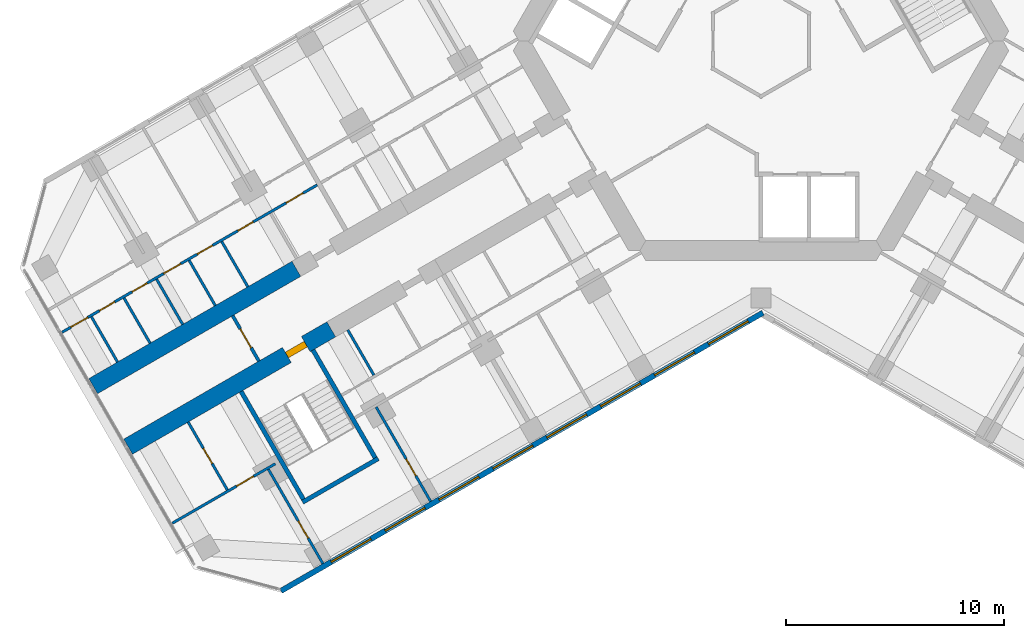
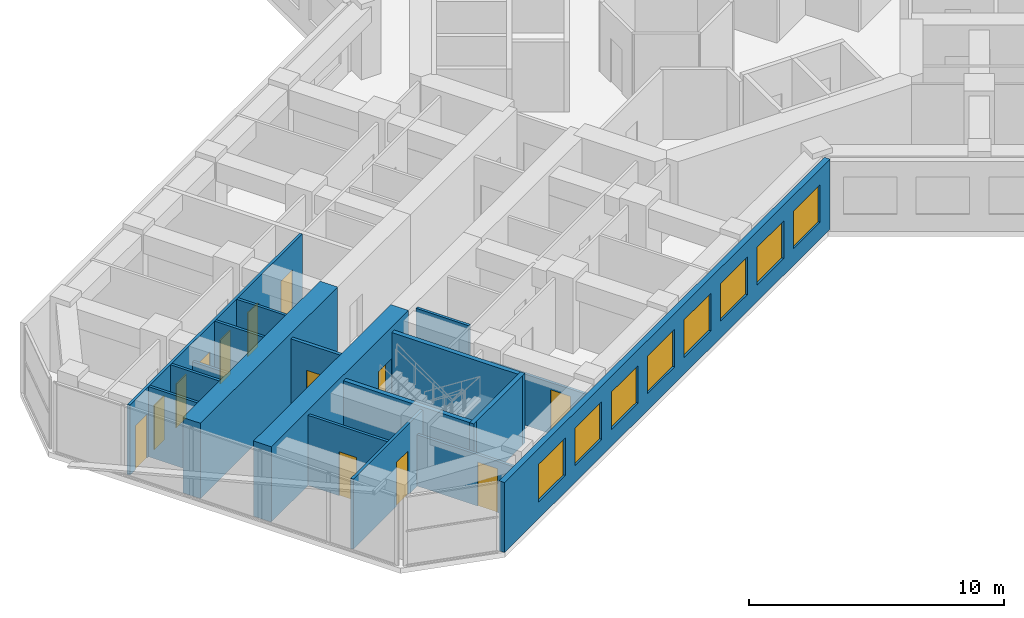
# One storey, part 10 of 20: 18 walls, 13 doors, 8 windows, 21 openings.
"""IFC4 building model written with IfcOpenShell, lengths in metres."""

from ifc_helpers import new_model, si_unit, direction, frame, frame_2d, origin, place, context, subcontext, project, spatial, rectangle, extrude, material, layer, layer_set, type_object, element, fill, save


model = new_model("IFC4")

# Units and contexts
model_context = context("Model", 3, precision=1e-05, world=origin(), true_north=direction((0.0, 1.0)))
body_context = subcontext(model_context, "Body", "Model", "MODEL_VIEW")
ifc_project = project(units=[si_unit("LENGTHUNIT", "METRE"), si_unit("AREAUNIT", "SQUARE_METRE"), si_unit("VOLUMEUNIT", "CUBIC_METRE"), si_unit("PLANEANGLEUNIT", "RADIAN"), si_unit("MASSUNIT", "GRAM", prefix="KILO")], contexts=[model_context])

# Site, building, storey
site_placement = place(None, origin())
site = spatial("IfcSite", under=ifc_project, at=site_placement, CompositionType="ELEMENT")
building_placement = place(site_placement, origin())
building = spatial("IfcBuilding", under=site, at=building_placement, Name="Kosmar Iwan School Tower", CompositionType="ELEMENT")
storey_placement = place(building_placement, frame((0.0, 0.0, 131.0)))
storey = spatial("IfcBuildingStorey", under=building, at=storey_placement, Name="L32", CompositionType="ELEMENT", Elevation=131.0)

# Wall, opening, door
ifc_material_1 = material(Name="Concrete C50/60", Category="concrete")
ifc_layer_1 = layer(ifc_material_1, 0.800048828125)
ifc_layer_set_1 = layer_set([ifc_layer_1], Name="Corridor buttress wall 800")
wall_type_1 = type_object("IfcWallType", Name="Corridor buttress wall 800", PredefinedType="SHEAR", material=ifc_layer_set_1)
wall_1_placement = place(storey_placement, frame((-19.681396484375, -13.210693359375, 0.0), z_axis=(0.0, 0.0, 1.0), x_axis=(-0.866028186671, -0.499995179869, 0.0)))
wall_1 = element("IfcWall", 1, at=wall_1_placement, inside=storey, type_object=wall_type_1, Name="Corridor wall BL bay 3", PredefinedType="SHEAR", context=body_context, shape_type="SweptSolid", body=[
    extrude(rectangle(XDim=10.7451171875, YDim=0.800048828125, at=frame_2d((5.37255859375, 0.0))), origin(), (0.0, 0.0, 1.0), 3.60009765625),
])
opening_1_placement = place(wall_1_placement, frame((1.35009765625, 0.0, 0.0)))
opening_1 = element("IfcOpeningElement", 2, at=opening_1_placement, cuts=wall_1, Name="Opening D6", PredefinedType="OPENING", context=body_context, shape_type="SweptSolid", body=[
    extrude(rectangle(XDim=1.0, YDim=2.10009765625, at=frame_2d((0.5, 1.050048828125))), frame((0.0, 0.412109375, 0.0), z_axis=(0.0, -1.0, 0.0), x_axis=(1.0, 0.0, 0.0)), (0.0, 0.0, 1.0), 0.823974609375),
])
ifc_material_2 = material(Name="Steel fire door", Category="steel")
door_type_1 = type_object("IfcDoorType", Name="Stair door 1000x2100", OperationType="SINGLE_SWING_LEFT", PredefinedType="DOOR", material=ifc_material_2)
door_1_placement = place(opening_1_placement, origin())
door_1 = element("IfcDoor", 3, at=door_1_placement, inside=storey, type_object=door_type_1, Name="Stair WS2 door L32", OperationType="SINGLE_SWING_LEFT", OverallHeight=2.10009765625, OverallWidth=1.0, PredefinedType="DOOR", context=body_context, shape_type="SweptSolid", body=[
    extrude(rectangle(XDim=1.0, YDim=2.10009765625, at=frame_2d((0.5, 1.050048828125))), frame((0.0, 0.14990234375, 0.0), z_axis=(0.0, -1.0, 0.0), x_axis=(1.0, 0.0, 0.0)), (0.0, 0.0, 1.0), 0.300048828125),
])
fill(opening_1, door_1)

# Wall
wall_2_placement = place(storey_placement, frame((-21.281494140625, -10.439453125, 0.0), z_axis=(0.0, 0.0, 1.0), x_axis=(-0.866032345022, -0.499987977232, 0.0)))
element("IfcWall", 4, at=wall_2_placement, inside=storey, type_object=wall_type_1, Name="Corridor wall BR bay 3", PredefinedType="SHEAR", context=body_context, shape_type="SweptSolid", body=[
    extrude(rectangle(XDim=10.744873046875, YDim=0.800048828125, at=frame_2d((5.37255859375, 0.0))), origin(), (0.0, 0.0, 1.0), 3.60009765625),
])

# Wall, opening, door
ifc_material_3 = material(Name="Gypsum board on steel studs, fire-rated", Category="steel")
ifc_layer_2 = layer(ifc_material_3, 0.14990234375)
ifc_layer_set_2 = layer_set([ifc_layer_2], Name="Corridor end wall 150")
wall_type_2 = type_object("IfcWallType", Name="Corridor end wall 150", PredefinedType="PARTITIONING", material=ifc_layer_set_2)
wall_3_placement = place(storey_placement, frame((-24.19921875, -12.585693359375, 0.0), z_axis=(0.0, 0.0, 1.0), x_axis=(0.499957262057, -0.866050077142, 0.0)))
wall_3 = element("IfcWall", 5, at=wall_3_placement, inside=storey, type_object=wall_type_2, Name="Partition L32-B-CE", PredefinedType="PARTITIONING", context=body_context, shape_type="SweptSolid", body=[
    extrude(rectangle(XDim=2.400146484375, YDim=0.14990234375, at=frame_2d((1.2001953125, 0.0))), origin(), (0.0, 0.0, 1.0), 3.35009765625),
])
opening_2_placement = place(wall_3_placement, frame((0.699951171875, 0.0, 0.0)))
opening_2 = element("IfcOpeningElement", 6, at=opening_2_placement, cuts=wall_3, Name="Opening D13", PredefinedType="OPENING", context=body_context, shape_type="SweptSolid", body=[
    extrude(rectangle(XDim=1.0, YDim=2.10009765625, at=frame_2d((0.5, 1.050048828125))), frame((0.0, 0.0869140625, 0.0), z_axis=(0.0, -1.0, 0.0), x_axis=(1.0, 0.0, 0.0)), (0.0, 0.0, 1.0), 0.173828125),
])
ifc_material_4 = material(Name="Timber fire door with vision panel", Category="wood")
door_type_2 = type_object("IfcDoorType", Name="Corridor end door 1000x2100", OperationType="SINGLE_SWING_LEFT", PredefinedType="DOOR", material=ifc_material_4)
door_2_placement = place(opening_2_placement, origin())
door_2 = element("IfcDoor", 7, at=door_2_placement, inside=storey, type_object=door_type_2, Name="Laundry and drying room door L32-B", OperationType="SINGLE_SWING_RIGHT", OverallHeight=2.10009765625, OverallWidth=1.0, PredefinedType="DOOR", context=body_context, shape_type="SweptSolid", body=[
    extrude(rectangle(XDim=1.0, YDim=2.10009765625, at=frame_2d((0.5, 1.050048828125))), frame((0.0, 0.02490234375, 0.0), z_axis=(0.0, -1.0, 0.0), x_axis=(1.0, 0.0, 0.0)), (0.0, 0.0, 1.0), 0.050048828125),
])
fill(opening_2, door_2)

# Wall
ifc_material_5 = material(Name="Gypsum board on steel studs", Category="steel")
ifc_layer_3 = layer(ifc_material_5, 0.1201171875)
ifc_layer_set_3 = layer_set([ifc_layer_3], Name="Dwelling partition 120")
wall_type_3 = type_object("IfcWallType", Name="Dwelling partition 120", PredefinedType="PARTITIONING", material=ifc_layer_set_3)
wall_4_placement = place(storey_placement, frame((-18.92724609375, -13.237060546875, 0.0), z_axis=(0.0, 0.0, 1.0), x_axis=(0.500017192868, -0.86601547725, 0.0)))
element("IfcWall", 8, at=wall_4_placement, inside=storey, type_object=wall_type_3, Name="Partition L32-BL2-Y2", PredefinedType="PARTITIONING", context=body_context, shape_type="SweptSolid", body=[
    extrude(rectangle(XDim=2.39013671875, YDim=0.1201171875, at=frame_2d((1.195068359375, 0.0))), origin(), (0.0, 0.0, 1.0), 3.35009765625),
])

# Wall, opening, door
wall_5_placement = place(storey_placement, frame((-17.62646484375, -16.77001953125, 0.0), z_axis=(0.0, 0.0, 1.0), x_axis=(0.499975153383, -0.86603974851, 0.0)))
wall_5 = element("IfcWall", 9, at=wall_5_placement, inside=storey, type_object=wall_type_3, Name="Partition L32-BL2-TB", PredefinedType="PARTITIONING", context=body_context, shape_type="SweptSolid", body=[
    extrude(rectangle(XDim=4.989990234375, YDim=0.1201171875, at=frame_2d((2.4951171875, 0.0))), origin(), (0.0, 0.0, 1.0), 2.449951171875),
])
opening_3_placement = place(wall_5_placement, frame((2.739990234375, 0.0, 0.0)))
opening_3 = element("IfcOpeningElement", 10, at=opening_3_placement, cuts=wall_5, Name="Opening D2", PredefinedType="OPENING", context=body_context, shape_type="SweptSolid", body=[
    extrude(rectangle(XDim=0.89990234375, YDim=2.10009765625, at=frame_2d((0.449951171875, 1.050048828125))), frame((0.0, 0.072021484375, 0.0), z_axis=(0.0, -1.0, 0.0), x_axis=(1.0, 0.0, 0.0)), (0.0, 0.0, 1.0), 0.14404296875),
])
ifc_material_6 = material(Name="Timber door in timber frame", Category="wood")
door_type_3 = type_object("IfcDoorType", Name="Internal door 900x2100", OperationType="SINGLE_SWING_LEFT", PredefinedType="DOOR", material=ifc_material_6)
door_3_placement = place(opening_3_placement, origin())
door_3 = element("IfcDoor", 11, at=door_3_placement, inside=storey, type_object=door_type_3, Name="Study door L32-BL2-F1", OperationType="SINGLE_SWING_RIGHT", OverallHeight=2.10009765625, OverallWidth=0.89990234375, PredefinedType="DOOR", context=body_context, shape_type="SweptSolid", body=[
    extrude(rectangle(XDim=0.89990234375, YDim=2.10009765625, at=frame_2d((0.449951171875, 1.050048828125))), frame((0.0, 0.02490234375, 0.0), z_axis=(0.0, -1.0, 0.0), x_axis=(1.0, 0.0, 0.0)), (0.0, 0.0, 1.0), 0.050048828125),
])
fill(opening_3, door_3)

wall_6_placement = place(storey_placement, frame((-22.562744140625, -19.6201171875, 0.0), z_axis=(0.0, 0.0, 1.0), x_axis=(0.499996339024, -0.86602751744, 0.0)))
wall_6 = element("IfcWall", 12, at=wall_6_placement, inside=storey, type_object=wall_type_3, Name="Partition L32-BL2-TX", PredefinedType="PARTITIONING", context=body_context, shape_type="SweptSolid", body=[
    extrude(rectangle(XDim=4.98974609375, YDim=0.1201171875, at=frame_2d((2.494873046875, 0.0))), origin(), (0.0, 0.0, 1.0), 2.449951171875),
])
opening_4_placement = place(wall_6_placement, frame((2.739990234375, 0.0, 0.0)))
opening_4 = element("IfcOpeningElement", 13, at=opening_4_placement, cuts=wall_6, Name="Opening D2", PredefinedType="OPENING", context=body_context, shape_type="SweptSolid", body=[
    extrude(rectangle(XDim=0.89990234375, YDim=2.10009765625, at=frame_2d((0.449951171875, 1.050048828125))), frame((0.0, 0.072021484375, 0.0), z_axis=(0.0, -1.0, 0.0), x_axis=(1.0, 0.0, 0.0)), (0.0, 0.0, 1.0), 0.14404296875),
])
door_4_placement = place(opening_4_placement, origin())
door_4 = element("IfcDoor", 14, at=door_4_placement, inside=storey, type_object=door_type_3, Name="Study door L32-BL2-T1", OperationType="SINGLE_SWING_RIGHT", OverallHeight=2.10009765625, OverallWidth=0.89990234375, PredefinedType="DOOR", context=body_context, shape_type="SweptSolid", body=[
    extrude(rectangle(XDim=0.89990234375, YDim=2.10009765625, at=frame_2d((0.449951171875, 1.050048828125))), frame((0.0, 0.02490234375, 0.0), z_axis=(0.0, -1.0, 0.0), x_axis=(1.0, 0.0, 0.0)), (0.0, 0.0, 1.0), 0.050048828125),
])
fill(opening_4, door_4)

wall_7_placement = place(storey_placement, frame((-22.246337890625, -19.3681640625, 0.0), z_axis=(0.0, 0.0, 1.0), x_axis=(-0.866035508231, -0.499982498177, 0.0)))
wall_7 = element("IfcWall", 15, at=wall_7_placement, inside=storey, type_object=wall_type_3, Name="Partition L32-BL2-TW", PredefinedType="PARTITIONING", context=body_context, shape_type="SweptSolid", body=[
    extrude(rectangle(XDim=5.445068359375, YDim=0.1201171875, at=frame_2d((2.72265625, 0.0))), origin(), (0.0, 0.0, 1.0), 3.35009765625),
])
opening_5_placement = place(wall_7_placement, frame((1.14990234375, 0.0, 0.0)))
opening_5 = element("IfcOpeningElement", 16, at=opening_5_placement, cuts=wall_7, Name="Opening D2", PredefinedType="OPENING", context=body_context, shape_type="SweptSolid", body=[
    extrude(rectangle(XDim=0.89990234375, YDim=2.10009765625, at=frame_2d((0.449951171875, 1.050048828125))), frame((0.0, 0.072021484375, 0.0), z_axis=(0.0, -1.0, 0.0), x_axis=(1.0, 0.0, 0.0)), (0.0, 0.0, 1.0), 0.14404296875),
])
door_5_placement = place(opening_5_placement, origin())
door_5 = element("IfcDoor", 17, at=door_5_placement, inside=storey, type_object=door_type_3, Name="Dressing room door L32-BL2-T3", OperationType="SINGLE_SWING_LEFT", OverallHeight=2.10009765625, OverallWidth=0.89990234375, PredefinedType="DOOR", context=body_context, shape_type="SweptSolid", body=[
    extrude(rectangle(XDim=0.89990234375, YDim=2.10009765625, at=frame_2d((0.449951171875, 1.050048828125))), frame((0.0, 0.02490234375, 0.0), z_axis=(0.0, -1.0, 0.0), x_axis=(1.0, 0.0, 0.0)), (0.0, 0.0, 1.0), 0.050048828125),
])
fill(opening_5, door_5)

wall_8_placement = place(storey_placement, frame((-26.236572265625, -17.45703125, 0.0), z_axis=(0.0, 0.0, 1.0), x_axis=(0.50002266109, -0.866012320003, 0.0)))
wall_8 = element("IfcWall", 18, at=wall_8_placement, inside=storey, type_object=wall_type_3, Name="Partition L32-BL2-TY", PredefinedType="PARTITIONING", context=body_context, shape_type="SweptSolid", body=[
    extrude(rectangle(XDim=3.590087890625, YDim=0.1201171875, at=frame_2d((1.794921875, 0.0))), origin(), (0.0, 0.0, 1.0), 3.35009765625),
])
opening_6_placement = place(wall_8_placement, frame((1.39501953125, 0.0, 0.0)))
opening_6 = element("IfcOpeningElement", 19, at=opening_6_placement, cuts=wall_8, Name="Opening D3", PredefinedType="OPENING", context=body_context, shape_type="SweptSolid", body=[
    extrude(rectangle(XDim=0.800048828125, YDim=2.10009765625, at=frame_2d((0.39990234375, 1.050048828125))), frame((0.0, 0.072021484375, 0.0), z_axis=(0.0, -1.0, 0.0), x_axis=(1.0, 0.0, 0.0)), (0.0, 0.0, 1.0), 0.14404296875),
])
ifc_material_7 = material(Name="Timber door in timber frame", Category="wood")
door_type_4 = type_object("IfcDoorType", Name="Sanitary room door 800x2100", OperationType="SINGLE_SWING_LEFT", PredefinedType="DOOR", material=ifc_material_7)
door_6_placement = place(opening_6_placement, origin())
door_6 = element("IfcDoor", 20, at=door_6_placement, inside=storey, type_object=door_type_4, Name="Shower room door L32-BL2-T4", OperationType="SINGLE_SWING_LEFT", OverallHeight=2.10009765625, OverallWidth=0.800048828125, PredefinedType="DOOR", context=body_context, shape_type="SweptSolid", body=[
    extrude(rectangle(XDim=0.800048828125, YDim=2.10009765625, at=frame_2d((0.39990234375, 1.050048828125))), frame((0.0, 0.02490234375, 0.0), z_axis=(0.0, -1.0, 0.0), x_axis=(1.0, 0.0, 0.0)), (0.0, 0.0, 1.0), 0.050048828125),
])
fill(opening_6, door_6)

# Wall, openings, doors
wall_9_placement = place(storey_placement, frame((-20.324951171875, -6.59619140625, 0.0), z_axis=(0.0, 0.0, 1.0), x_axis=(-0.866023503214, -0.50000329187, 0.0)))
wall_9 = element("IfcWall", 21, at=wall_9_placement, inside=storey, type_object=wall_type_3, Name="Partition L32-BR2-W1", PredefinedType="PARTITIONING", context=body_context, shape_type="SweptSolid", body=[
    extrude(rectangle(XDim=13.4951171875, YDim=0.1201171875, at=frame_2d((6.74755859375, 0.0))), origin(), (0.0, 0.0, 1.0), 3.35009765625),
])
opening_7_placement = place(wall_9_placement, frame((0.75, 0.0, 0.0)))
opening_7 = element("IfcOpeningElement", 22, at=opening_7_placement, cuts=wall_9, Name="Opening D2", PredefinedType="OPENING", context=body_context, shape_type="SweptSolid", body=[
    extrude(rectangle(XDim=0.89990234375, YDim=2.10009765625, at=frame_2d((0.449951171875, 1.050048828125))), frame((0.0, 0.072021484375, 0.0), z_axis=(0.0, -1.0, 0.0), x_axis=(1.0, 0.0, 0.0)), (0.0, 0.0, 1.0), 0.14404296875),
])
opening_8_placement = place(wall_9_placement, frame((3.392333984375, 0.0, 0.0)))
opening_8 = element("IfcOpeningElement", 23, at=opening_8_placement, cuts=wall_9, Name="Opening D3", PredefinedType="OPENING", context=body_context, shape_type="SweptSolid", body=[
    extrude(rectangle(XDim=0.800048828125, YDim=2.10009765625, at=frame_2d((0.39990234375, 1.050048828125))), frame((0.0, 0.072021484375, 0.0), z_axis=(0.0, -1.0, 0.0), x_axis=(1.0, 0.0, 0.0)), (0.0, 0.0, 1.0), 0.14404296875),
])
opening_9_placement = place(wall_9_placement, frame((5.546142578125, 0.0, 0.0)))
opening_9 = element("IfcOpeningElement", 24, at=opening_9_placement, cuts=wall_9, Name="Opening D3", PredefinedType="OPENING", context=body_context, shape_type="SweptSolid", body=[
    extrude(rectangle(XDim=0.800048828125, YDim=2.10009765625, at=frame_2d((0.39990234375, 1.050048828125))), frame((0.0, 0.072021484375, 0.0), z_axis=(0.0, -1.0, 0.0), x_axis=(1.0, 0.0, 0.0)), (0.0, 0.0, 1.0), 0.14404296875),
])
opening_10_placement = place(wall_9_placement, frame((7.21923828125, 0.0, 0.0)))
opening_10 = element("IfcOpeningElement", 25, at=opening_10_placement, cuts=wall_9, Name="Opening D2", PredefinedType="OPENING", context=body_context, shape_type="SweptSolid", body=[
    extrude(rectangle(XDim=0.89990234375, YDim=2.10009765625, at=frame_2d((0.449951171875, 1.050048828125))), frame((0.0, 0.072021484375, 0.0), z_axis=(0.0, -1.0, 0.0), x_axis=(1.0, 0.0, 0.0)), (0.0, 0.0, 1.0), 0.14404296875),
])
opening_11_placement = place(wall_9_placement, frame((8.992431640625, 0.0, 0.0)))
opening_11 = element("IfcOpeningElement", 26, at=opening_11_placement, cuts=wall_9, Name="Opening D3", PredefinedType="OPENING", context=body_context, shape_type="SweptSolid", body=[
    extrude(rectangle(XDim=0.800048828125, YDim=2.10009765625, at=frame_2d((0.39990234375, 1.050048828125))), frame((0.0, 0.072021484375, 0.0), z_axis=(0.0, -1.0, 0.0), x_axis=(1.0, 0.0, 0.0)), (0.0, 0.0, 1.0), 0.14404296875),
])
opening_12_placement = place(wall_9_placement, frame((10.71533203125, 0.0, 0.0)))
opening_12 = element("IfcOpeningElement", 27, at=opening_12_placement, cuts=wall_9, Name="Opening D3", PredefinedType="OPENING", context=body_context, shape_type="SweptSolid", body=[
    extrude(rectangle(XDim=0.800048828125, YDim=2.10009765625, at=frame_2d((0.39990234375, 1.050048828125))), frame((0.0, 0.072021484375, 0.0), z_axis=(0.0, -1.0, 0.0), x_axis=(1.0, 0.0, 0.0)), (0.0, 0.0, 1.0), 0.14404296875),
])
opening_13_placement = place(wall_9_placement, frame((12.136962890625, 0.0, 0.0)))
opening_13 = element("IfcOpeningElement", 28, at=opening_13_placement, cuts=wall_9, Name="Opening D2", PredefinedType="OPENING", context=body_context, shape_type="SweptSolid", body=[
    extrude(rectangle(XDim=0.89990234375, YDim=2.10009765625, at=frame_2d((0.449951171875, 1.050048828125))), frame((0.0, 0.072021484375, 0.0), z_axis=(0.0, -1.0, 0.0), x_axis=(1.0, 0.0, 0.0)), (0.0, 0.0, 1.0), 0.14404296875),
])
door_7_placement = place(opening_7_placement, origin())
door_7 = element("IfcDoor", 29, at=door_7_placement, inside=storey, type_object=door_type_3, Name="Entrance hall door L32-BR2-S1", OperationType="SINGLE_SWING_RIGHT", OverallHeight=2.10009765625, OverallWidth=0.89990234375, PredefinedType="DOOR", context=body_context, shape_type="SweptSolid", body=[
    extrude(rectangle(XDim=0.89990234375, YDim=2.10009765625, at=frame_2d((0.449951171875, 1.050048828125))), frame((0.0, 0.02490234375, 0.0), z_axis=(0.0, -1.0, 0.0), x_axis=(1.0, 0.0, 0.0)), (0.0, 0.0, 1.0), 0.050048828125),
])
fill(opening_7, door_7)
door_8_placement = place(opening_10_placement, origin())
door_8 = element("IfcDoor", 30, at=door_8_placement, inside=storey, type_object=door_type_3, Name="Pantry door L32-BR2-S4", OperationType="SINGLE_SWING_LEFT", OverallHeight=2.10009765625, OverallWidth=0.89990234375, PredefinedType="DOOR", context=body_context, shape_type="SweptSolid", body=[
    extrude(rectangle(XDim=0.89990234375, YDim=2.10009765625, at=frame_2d((0.449951171875, 1.050048828125))), frame((0.0, 0.02490234375, 0.0), z_axis=(0.0, -1.0, 0.0), x_axis=(1.0, 0.0, 0.0)), (0.0, 0.0, 1.0), 0.050048828125),
])
fill(opening_10, door_8)
door_9_placement = place(opening_13_placement, origin())
door_9 = element("IfcDoor", 31, at=door_9_placement, inside=storey, type_object=door_type_3, Name="Utility room door L32-BR2-S7", OperationType="SINGLE_SWING_LEFT", OverallHeight=2.10009765625, OverallWidth=0.89990234375, PredefinedType="DOOR", context=body_context, shape_type="SweptSolid", body=[
    extrude(rectangle(XDim=0.89990234375, YDim=2.10009765625, at=frame_2d((0.449951171875, 1.050048828125))), frame((0.0, 0.02490234375, 0.0), z_axis=(0.0, -1.0, 0.0), x_axis=(1.0, 0.0, 0.0)), (0.0, 0.0, 1.0), 0.050048828125),
])
fill(opening_13, door_9)
door_10_placement = place(opening_8_placement, origin())
door_10 = element("IfcDoor", 32, at=door_10_placement, inside=storey, type_object=door_type_4, Name="Bathroom door L32-BR2-S2", OperationType="SINGLE_SWING_LEFT", OverallHeight=2.10009765625, OverallWidth=0.800048828125, PredefinedType="DOOR", context=body_context, shape_type="SweptSolid", body=[
    extrude(rectangle(XDim=0.800048828125, YDim=2.10009765625, at=frame_2d((0.39990234375, 1.050048828125))), frame((0.0, 0.02490234375, 0.0), z_axis=(0.0, -1.0, 0.0), x_axis=(1.0, 0.0, 0.0)), (0.0, 0.0, 1.0), 0.050048828125),
])
fill(opening_8, door_10)
door_11_placement = place(opening_9_placement, origin())
door_11 = element("IfcDoor", 33, at=door_11_placement, inside=storey, type_object=door_type_4, Name="Shower room door L32-BR2-S3", OperationType="SINGLE_SWING_RIGHT", OverallHeight=2.10009765625, OverallWidth=0.800048828125, PredefinedType="DOOR", context=body_context, shape_type="SweptSolid", body=[
    extrude(rectangle(XDim=0.800048828125, YDim=2.10009765625, at=frame_2d((0.39990234375, 1.050048828125))), frame((0.0, 0.02490234375, 0.0), z_axis=(0.0, -1.0, 0.0), x_axis=(1.0, 0.0, 0.0)), (0.0, 0.0, 1.0), 0.050048828125),
])
fill(opening_9, door_11)
door_12_placement = place(opening_11_placement, origin())
door_12 = element("IfcDoor", 34, at=door_12_placement, inside=storey, type_object=door_type_4, Name="WC door L32-BR2-S5", OperationType="SINGLE_SWING_RIGHT", OverallHeight=2.10009765625, OverallWidth=0.800048828125, PredefinedType="DOOR", context=body_context, shape_type="SweptSolid", body=[
    extrude(rectangle(XDim=0.800048828125, YDim=2.10009765625, at=frame_2d((0.39990234375, 1.050048828125))), frame((0.0, 0.02490234375, 0.0), z_axis=(0.0, -1.0, 0.0), x_axis=(1.0, 0.0, 0.0)), (0.0, 0.0, 1.0), 0.050048828125),
])
fill(opening_11, door_12)
door_13_placement = place(opening_12_placement, origin())
door_13 = element("IfcDoor", 35, at=door_13_placement, inside=storey, type_object=door_type_4, Name="Store door L32-BR2-S6", OperationType="SINGLE_SWING_LEFT", OverallHeight=2.10009765625, OverallWidth=0.800048828125, PredefinedType="DOOR", context=body_context, shape_type="SweptSolid", body=[
    extrude(rectangle(XDim=0.800048828125, YDim=2.10009765625, at=frame_2d((0.39990234375, 1.050048828125))), frame((0.0, 0.02490234375, 0.0), z_axis=(0.0, -1.0, 0.0), x_axis=(1.0, 0.0, 0.0)), (0.0, 0.0, 1.0), 0.050048828125),
])
fill(opening_12, door_13)

# Walls
wall_10_placement = place(storey_placement, frame((-23.50341796875, -11.26025390625, 0.0), z_axis=(0.0, 0.0, 1.0), x_axis=(-0.499940577336, 0.866059708757, 0.0)))
element("IfcWall", 36, at=wall_10_placement, inside=storey, type_object=wall_type_3, Name="Partition L32-BR2-Y2", PredefinedType="PARTITIONING", context=body_context, shape_type="SweptSolid", body=[
    extrude(rectangle(XDim=2.389892578125, YDim=0.1201171875, at=frame_2d((1.19482421875, 0.0))), origin(), (0.0, 0.0, 1.0), 3.35009765625),
])
wall_11_placement = place(storey_placement, frame((-24.99560546875, -12.121826171875, 0.0), z_axis=(0.0, 0.0, 1.0), x_axis=(-0.500017192868, 0.86601547725, 0.0)))
element("IfcWall", 37, at=wall_11_placement, inside=storey, type_object=wall_type_3, Name="Partition L32-BR2-Y3", PredefinedType="PARTITIONING", context=body_context, shape_type="SweptSolid", body=[
    extrude(rectangle(XDim=2.39013671875, YDim=0.1201171875, at=frame_2d((1.195068359375, 0.0))), origin(), (0.0, 0.0, 1.0), 3.35009765625),
])
wall_12_placement = place(storey_placement, frame((-26.48779296875, -12.9833984375, 0.0), z_axis=(0.0, 0.0, 1.0), x_axis=(-0.500017192868, 0.86601547725, 0.0)))
element("IfcWall", 38, at=wall_12_placement, inside=storey, type_object=wall_type_3, Name="Partition L32-BR2-Y4", PredefinedType="PARTITIONING", context=body_context, shape_type="SweptSolid", body=[
    extrude(rectangle(XDim=2.39013671875, YDim=0.1201171875, at=frame_2d((1.195068359375, 0.0))), origin(), (0.0, 0.0, 1.0), 2.449951171875),
])
wall_13_placement = place(storey_placement, frame((-27.97998046875, -13.844970703125, 0.0), z_axis=(0.0, 0.0, 1.0), x_axis=(-0.500017192868, 0.86601547725, 0.0)))
element("IfcWall", 39, at=wall_13_placement, inside=storey, type_object=wall_type_3, Name="Partition L32-BR2-Y5", PredefinedType="PARTITIONING", context=body_context, shape_type="SweptSolid", body=[
    extrude(rectangle(XDim=2.39013671875, YDim=0.1201171875, at=frame_2d((1.195068359375, 0.0))), origin(), (0.0, 0.0, 1.0), 3.35009765625),
])
wall_14_placement = place(storey_placement, frame((-29.47216796875, -14.706298828125, 0.0), z_axis=(0.0, 0.0, 1.0), x_axis=(-0.500061428766, 0.865989934965, 0.0)))
element("IfcWall", 40, at=wall_14_placement, inside=storey, type_object=wall_type_3, Name="Partition L32-BR2-Y6", PredefinedType="PARTITIONING", context=body_context, shape_type="SweptSolid", body=[
    extrude(rectangle(XDim=2.389892578125, YDim=0.1201171875, at=frame_2d((1.19482421875, 0.0))), origin(), (0.0, 0.0, 1.0), 3.35009765625),
])
ifc_material_8 = material(Name="Concrete C35/45", Category="concrete")
ifc_layer_4 = layer(ifc_material_8, 0.199951171875)
ifc_layer_set_4 = layer_set([ifc_layer_4], Name="Escape stair wall 200")
wall_type_4 = type_object("IfcWallType", Name="Escape stair wall 200", PredefinedType="SHEAR", material=ifc_layer_set_4)
wall_15_placement = place(storey_placement, frame((-20.520751953125, -14.156982421875, 0.0), z_axis=(0.0, 0.0, 1.0), x_axis=(0.499988710057, -0.866031921938, 0.0)))
element("IfcWall", 41, at=wall_15_placement, inside=storey, type_object=wall_type_4, Name="Stair WS2 wall", PredefinedType="SHEAR", context=body_context, shape_type="SweptSolid", body=[
    extrude(rectangle(XDim=5.900146484375, YDim=0.199951171875, at=frame_2d((2.9501953125, 0.0))), origin(), (0.0, 0.0, 1.0), 3.330078125),
])
wall_16_placement = place(storey_placement, frame((-23.8115234375, -16.05712890625, 0.0), z_axis=(0.0, 0.0, 1.0), x_axis=(0.500006628179, -0.86602157697, 0.0)))
element("IfcWall", 42, at=wall_16_placement, inside=storey, type_object=wall_type_4, Name="Stair WS2 wall", PredefinedType="SHEAR", context=body_context, shape_type="SweptSolid", body=[
    extrude(rectangle(XDim=5.89990234375, YDim=0.199951171875, at=frame_2d((2.949951171875, 0.0))), origin(), (0.0, 0.0, 1.0), 3.330078125),
])
wall_17_placement = place(storey_placement, frame((-17.5341796875, -19.1298828125, 0.0), z_axis=(0.0, 0.0, 1.0), x_axis=(-0.866026010844, -0.49999894854, 0.0)))
element("IfcWall", 43, at=wall_17_placement, inside=storey, type_object=wall_type_4, Name="Stair WS2 wall", PredefinedType="SHEAR", context=body_context, shape_type="SweptSolid", body=[
    extrude(rectangle(XDim=4.0, YDim=0.199951171875, at=frame_2d((2.0, 0.0))), origin(), (0.0, 0.0, 1.0), 3.330078125),
])

# Wall, openings, windows
ifc_material_9 = material(Name="Black aluminium rainscreen on insulated framing", Category="aluminium")
ifc_layer_5 = layer(ifc_material_9, 0.25)
ifc_layer_set_5 = layer_set([ifc_layer_5], Name="External wall rainscreen 250")
wall_type_5 = type_object("IfcWallType", Name="External wall rainscreen 250", PredefinedType="SOLIDWALL", material=ifc_layer_set_5)
wall_18_placement = place(storey_placement, frame((0.088134765625, -12.44873046875, 0.0), z_axis=(0.0, 0.0, 1.0), x_axis=(-0.866026390279, -0.499998291337, 0.0)))
wall_18 = element("IfcWall", 44, at=wall_18_placement, inside=storey, type_object=wall_type_5, Name="External wall BL L32", PredefinedType="SOLIDWALL", context=body_context, shape_type="SweptSolid", body=[
    extrude(rectangle(XDim=25.4873046875, YDim=0.25, at=frame_2d((12.74365234375, 0.0))), origin(), (0.0, 0.0, 1.0), 3.35009765625),
])
opening_14_placement = place(wall_18_placement, frame((0.777099609375, 0.0, 0.800048828125)))
opening_14 = element("IfcOpeningElement", 45, at=opening_14_placement, cuts=wall_18, Name="Opening W4", PredefinedType="OPENING", context=body_context, shape_type="SweptSolid", body=[
    extrude(rectangle(XDim=2.10009765625, YDim=1.800048828125, at=frame_2d((1.050048828125, 0.89990234375))), frame((0.0, 0.136962890625, 0.0), z_axis=(0.0, -1.0, 0.0), x_axis=(1.0, 0.0, 0.0)), (0.0, 0.0, 1.0), 0.27392578125),
])
opening_15_placement = place(wall_18_placement, frame((3.626953125, 0.0, 0.800048828125)))
opening_15 = element("IfcOpeningElement", 46, at=opening_15_placement, cuts=wall_18, Name="Opening W4", PredefinedType="OPENING", context=body_context, shape_type="SweptSolid", body=[
    extrude(rectangle(XDim=2.10009765625, YDim=1.800048828125, at=frame_2d((1.050048828125, 0.89990234375))), frame((0.0, 0.136962890625, 0.0), z_axis=(0.0, -1.0, 0.0), x_axis=(1.0, 0.0, 0.0)), (0.0, 0.0, 1.0), 0.27392578125),
])
opening_16_placement = place(wall_18_placement, frame((6.47705078125, 0.0, 0.800048828125)))
opening_16 = element("IfcOpeningElement", 47, at=opening_16_placement, cuts=wall_18, Name="Opening W4", PredefinedType="OPENING", context=body_context, shape_type="SweptSolid", body=[
    extrude(rectangle(XDim=2.10009765625, YDim=1.800048828125, at=frame_2d((1.050048828125, 0.89990234375))), frame((0.0, 0.136962890625, 0.0), z_axis=(0.0, -1.0, 0.0), x_axis=(1.0, 0.0, 0.0)), (0.0, 0.0, 1.0), 0.27392578125),
])
opening_17_placement = place(wall_18_placement, frame((9.326904296875, 0.0, 0.800048828125)))
opening_17 = element("IfcOpeningElement", 48, at=opening_17_placement, cuts=wall_18, Name="Opening W4", PredefinedType="OPENING", context=body_context, shape_type="SweptSolid", body=[
    extrude(rectangle(XDim=2.10009765625, YDim=1.800048828125, at=frame_2d((1.050048828125, 0.89990234375))), frame((0.0, 0.136962890625, 0.0), z_axis=(0.0, -1.0, 0.0), x_axis=(1.0, 0.0, 0.0)), (0.0, 0.0, 1.0), 0.27392578125),
])
opening_18_placement = place(wall_18_placement, frame((12.177001953125, 0.0, 0.800048828125)))
opening_18 = element("IfcOpeningElement", 49, at=opening_18_placement, cuts=wall_18, Name="Opening W4", PredefinedType="OPENING", context=body_context, shape_type="SweptSolid", body=[
    extrude(rectangle(XDim=2.10009765625, YDim=1.800048828125, at=frame_2d((1.050048828125, 0.89990234375))), frame((0.0, 0.136962890625, 0.0), z_axis=(0.0, -1.0, 0.0), x_axis=(1.0, 0.0, 0.0)), (0.0, 0.0, 1.0), 0.27392578125),
])
opening_19_placement = place(wall_18_placement, frame((15.027099609375, 0.0, 0.800048828125)))
opening_19 = element("IfcOpeningElement", 50, at=opening_19_placement, cuts=wall_18, Name="Opening W4", PredefinedType="OPENING", context=body_context, shape_type="SweptSolid", body=[
    extrude(rectangle(XDim=2.10009765625, YDim=1.800048828125, at=frame_2d((1.050048828125, 0.89990234375))), frame((0.0, 0.136962890625, 0.0), z_axis=(0.0, -1.0, 0.0), x_axis=(1.0, 0.0, 0.0)), (0.0, 0.0, 1.0), 0.27392578125),
])
opening_20_placement = place(wall_18_placement, frame((17.876953125, 0.0, 0.800048828125)))
opening_20 = element("IfcOpeningElement", 51, at=opening_20_placement, cuts=wall_18, Name="Opening W4", PredefinedType="OPENING", context=body_context, shape_type="SweptSolid", body=[
    extrude(rectangle(XDim=2.10009765625, YDim=1.800048828125, at=frame_2d((1.050048828125, 0.89990234375))), frame((0.0, 0.136962890625, 0.0), z_axis=(0.0, -1.0, 0.0), x_axis=(1.0, 0.0, 0.0)), (0.0, 0.0, 1.0), 0.27392578125),
])
opening_21_placement = place(wall_18_placement, frame((20.72705078125, 0.0, 0.800048828125)))
opening_21 = element("IfcOpeningElement", 52, at=opening_21_placement, cuts=wall_18, Name="Opening W4", PredefinedType="OPENING", context=body_context, shape_type="SweptSolid", body=[
    extrude(rectangle(XDim=2.10009765625, YDim=1.800048828125, at=frame_2d((1.050048828125, 0.89990234375))), frame((0.0, 0.136962890625, 0.0), z_axis=(0.0, -1.0, 0.0), x_axis=(1.0, 0.0, 0.0)), (0.0, 0.0, 1.0), 0.27392578125),
])
ifc_material_10 = material(Name="Black aluminium frame with dark triple glazing", Category="aluminium")
window_type = type_object("IfcWindowType", Name="Window 2100x1800", PartitioningType="SINGLE_PANEL", PredefinedType="WINDOW", material=ifc_material_10)
window_1_placement = place(opening_14_placement, origin())
window_1 = element("IfcWindow", 53, at=window_1_placement, inside=storey, type_object=window_type, Name="Window BL L32 -1", OverallHeight=1.800048828125, OverallWidth=2.10009765625, PartitioningType="SINGLE_PANEL", PredefinedType="WINDOW", context=body_context, shape_type="SweptSolid", body=[
    extrude(rectangle(XDim=2.10009765625, YDim=1.800048828125, at=frame_2d((1.050048828125, 0.89990234375))), frame((0.0, 0.030029296875, 0.0), z_axis=(0.0, -1.0, 0.0), x_axis=(1.0, 0.0, 0.0)), (0.0, 0.0, 1.0), 0.06005859375),
])
fill(opening_14, window_1)
window_2_placement = place(opening_15_placement, origin())
window_2 = element("IfcWindow", 54, at=window_2_placement, inside=storey, type_object=window_type, Name="Window BL L32 0", OverallHeight=1.800048828125, OverallWidth=2.10009765625, PartitioningType="SINGLE_PANEL", PredefinedType="WINDOW", context=body_context, shape_type="SweptSolid", body=[
    extrude(rectangle(XDim=2.10009765625, YDim=1.800048828125, at=frame_2d((1.050048828125, 0.89990234375))), frame((0.0, 0.030029296875, 0.0), z_axis=(0.0, -1.0, 0.0), x_axis=(1.0, 0.0, 0.0)), (0.0, 0.0, 1.0), 0.06005859375),
])
fill(opening_15, window_2)
window_3_placement = place(opening_16_placement, origin())
window_3 = element("IfcWindow", 55, at=window_3_placement, inside=storey, type_object=window_type, Name="Window BL L32 1", OverallHeight=1.800048828125, OverallWidth=2.10009765625, PartitioningType="SINGLE_PANEL", PredefinedType="WINDOW", context=body_context, shape_type="SweptSolid", body=[
    extrude(rectangle(XDim=2.10009765625, YDim=1.800048828125, at=frame_2d((1.050048828125, 0.89990234375))), frame((0.0, 0.030029296875, 0.0), z_axis=(0.0, -1.0, 0.0), x_axis=(1.0, 0.0, 0.0)), (0.0, 0.0, 1.0), 0.06005859375),
])
fill(opening_16, window_3)
window_4_placement = place(opening_17_placement, origin())
window_4 = element("IfcWindow", 56, at=window_4_placement, inside=storey, type_object=window_type, Name="Window BL L32 2", OverallHeight=1.800048828125, OverallWidth=2.10009765625, PartitioningType="SINGLE_PANEL", PredefinedType="WINDOW", context=body_context, shape_type="SweptSolid", body=[
    extrude(rectangle(XDim=2.10009765625, YDim=1.800048828125, at=frame_2d((1.050048828125, 0.89990234375))), frame((0.0, 0.030029296875, 0.0), z_axis=(0.0, -1.0, 0.0), x_axis=(1.0, 0.0, 0.0)), (0.0, 0.0, 1.0), 0.06005859375),
])
fill(opening_17, window_4)
window_5_placement = place(opening_18_placement, origin())
window_5 = element("IfcWindow", 57, at=window_5_placement, inside=storey, type_object=window_type, Name="Window BL L32 3", OverallHeight=1.800048828125, OverallWidth=2.10009765625, PartitioningType="SINGLE_PANEL", PredefinedType="WINDOW", context=body_context, shape_type="SweptSolid", body=[
    extrude(rectangle(XDim=2.10009765625, YDim=1.800048828125, at=frame_2d((1.050048828125, 0.89990234375))), frame((0.0, 0.030029296875, 0.0), z_axis=(0.0, -1.0, 0.0), x_axis=(1.0, 0.0, 0.0)), (0.0, 0.0, 1.0), 0.06005859375),
])
fill(opening_18, window_5)
window_6_placement = place(opening_19_placement, origin())
window_6 = element("IfcWindow", 58, at=window_6_placement, inside=storey, type_object=window_type, Name="Window BL L32 4", OverallHeight=1.800048828125, OverallWidth=2.10009765625, PartitioningType="SINGLE_PANEL", PredefinedType="WINDOW", context=body_context, shape_type="SweptSolid", body=[
    extrude(rectangle(XDim=2.10009765625, YDim=1.800048828125, at=frame_2d((1.050048828125, 0.89990234375))), frame((0.0, 0.030029296875, 0.0), z_axis=(0.0, -1.0, 0.0), x_axis=(1.0, 0.0, 0.0)), (0.0, 0.0, 1.0), 0.06005859375),
])
fill(opening_19, window_6)
window_7_placement = place(opening_20_placement, origin())
window_7 = element("IfcWindow", 59, at=window_7_placement, inside=storey, type_object=window_type, Name="Window BL L32 5", OverallHeight=1.800048828125, OverallWidth=2.10009765625, PartitioningType="SINGLE_PANEL", PredefinedType="WINDOW", context=body_context, shape_type="SweptSolid", body=[
    extrude(rectangle(XDim=2.10009765625, YDim=1.800048828125, at=frame_2d((1.050048828125, 0.89990234375))), frame((0.0, 0.030029296875, 0.0), z_axis=(0.0, -1.0, 0.0), x_axis=(1.0, 0.0, 0.0)), (0.0, 0.0, 1.0), 0.06005859375),
])
fill(opening_20, window_7)
window_8_placement = place(opening_21_placement, origin())
window_8 = element("IfcWindow", 60, at=window_8_placement, inside=storey, type_object=window_type, Name="Window BL L32 6", OverallHeight=1.800048828125, OverallWidth=2.10009765625, PartitioningType="SINGLE_PANEL", PredefinedType="WINDOW", context=body_context, shape_type="SweptSolid", body=[
    extrude(rectangle(XDim=2.10009765625, YDim=1.800048828125, at=frame_2d((1.050048828125, 0.89990234375))), frame((0.0, 0.030029296875, 0.0), z_axis=(0.0, -1.0, 0.0), x_axis=(1.0, 0.0, 0.0)), (0.0, 0.0, 1.0), 0.06005859375),
])
fill(opening_21, window_8)

save(model, "model.ifc")
